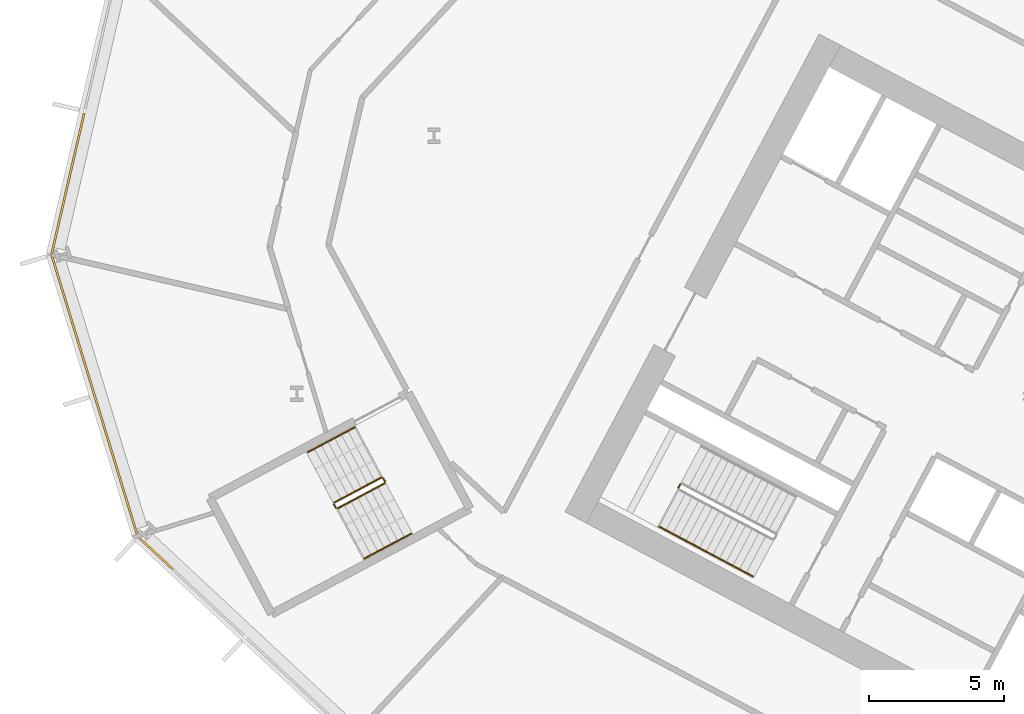
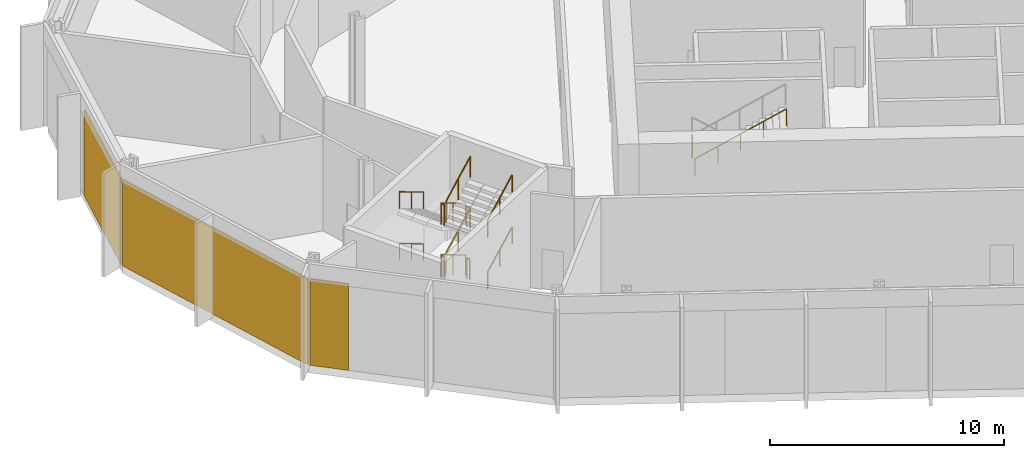
# One storey, part 22 of 32: 14 railings, 3 coverings, 3 elements without a shape of their own.
"""IFC4 building model written with IfcOpenShell, lengths in metres."""

from ifc_helpers import new_model, si_unit, direction, frame, origin, origin_2d, place, context, subcontext, project, spatial, polyline, rectangle, outline, extrude, material, layer, layer_set, type_object, element, aggregate, save


model = new_model("IFC4")

# Units and contexts
model_context = context("Model", 3, precision=1e-05, world=origin(), true_north=direction((0.0, 1.0)))
body_context = subcontext(model_context, "Body", "Model", "MODEL_VIEW")
ifc_project = project(units=[si_unit("LENGTHUNIT", "METRE"), si_unit("AREAUNIT", "SQUARE_METRE"), si_unit("VOLUMEUNIT", "CUBIC_METRE"), si_unit("PLANEANGLEUNIT", "RADIAN"), si_unit("MASSUNIT", "GRAM", prefix="KILO")], contexts=[model_context])

# Site, building, storey
site_placement = place(None, origin())
site = spatial("IfcSite", under=ifc_project, at=site_placement, CompositionType="ELEMENT")
building_placement = place(site_placement, origin())
building = spatial("IfcBuilding", under=site, at=building_placement, Name="Cormorant Relay Tower", CompositionType="ELEMENT")
storey_placement = place(building_placement, frame((0.0, 0.0, 17.60009765625)))
storey = spatial("IfcBuildingStorey", under=building, at=storey_placement, Name="L03", CompositionType="ELEMENT", Elevation=17.60009765625)

# Curtain wall, covering
ifc_material_1 = material(Name="Aluminium 6063-T6 anodised bronze", Category="aluminium")
ifc_layer_1 = layer(ifc_material_1, 0.235107421875)
ifc_layer_set_1 = layer_set([ifc_layer_1], Name="CW6 data hall curtain wall with mineral wool panels")
curtain_wall_type = type_object("IfcCurtainWallType", Name="CW6 data hall curtain wall with mineral wool panels", PredefinedType="NOTDEFINED", material=ifc_layer_set_1)
curtain_wall_1_placement = place(storey_placement, origin())
curtain_wall_1 = element("IfcCurtainWall", 1, at=curtain_wall_1_placement, inside=storey, type_object=curtain_wall_type, Name="CW6 curtain wall 11", PredefinedType="NOTDEFINED")
ifc_material_2 = material(Name="Mineral wool cored anodised bronze aluminium cassette panel", Category="aluminium")
ifc_layer_2 = layer(ifc_material_2, 0.074951171875)
ifc_layer_set_2 = layer_set([ifc_layer_2], Name="CW6 mineral wool cassette panel 75")
covering_type = type_object("IfcCoveringType", Name="CW6 mineral wool cassette panel 75", PredefinedType="CLADDING", material=ifc_layer_set_2)
covering_1_placement = place(storey_placement, frame((-60.153564453125, 23.01318359375, 0.0), z_axis=(0.0, 0.0, 1.0), x_axis=(-0.224951054344, -0.974370064785, 0.0)))
covering_1 = element("IfcCovering", 2, at=covering_1_placement, type_object=covering_type, Name="CW6 panel S02", PredefinedType="CLADDING", context=body_context, shape_type="SweptSolid", body=[
    extrude(rectangle(XDim=5.360107421875, YDim=0.074951171875, at=origin_2d()), origin(), (0.0, 0.0, 1.0), 4.5),
])
aggregate(curtain_wall_1, [covering_1])

curtain_wall_2_placement = place(storey_placement, origin())
curtain_wall_2 = element("IfcCurtainWall", 3, at=curtain_wall_2_placement, inside=storey, type_object=curtain_wall_type, Name="CW6 curtain wall 12", PredefinedType="NOTDEFINED")
covering_2_placement = place(storey_placement, frame((-59.155517578125, 15.148681640625, 0.0), z_axis=(0.0, 0.0, 1.0), x_axis=(0.292371704723, -0.956304755963, 0.0)))
covering_2 = element("IfcCovering", 4, at=covering_2_placement, type_object=covering_type, Name="CW6 panel S00", PredefinedType="CLADDING", context=body_context, shape_type="SweptSolid", body=[
    extrude(rectangle(XDim=10.79541015625, YDim=0.074951171875, at=origin_2d()), origin(), (0.0, 0.0, 1.0), 4.5),
])
aggregate(curtain_wall_2, [covering_2])

curtain_wall_3_placement = place(storey_placement, origin())
curtain_wall_3 = element("IfcCurtainWall", 5, at=curtain_wall_3_placement, inside=storey, type_object=curtain_wall_type, Name="CW6 curtain wall 13", PredefinedType="NOTDEFINED")
covering_3_placement = place(storey_placement, frame((-56.89599609375, 9.3447265625, 0.0), z_axis=(0.0, 0.0, 1.0), x_axis=(0.731353701619, -0.681998360062, 0.0)))
covering_3 = element("IfcCovering", 6, at=covering_3_placement, type_object=covering_type, Name="CW6 panel S00", PredefinedType="CLADDING", context=body_context, shape_type="SweptSolid", body=[
    extrude(rectangle(XDim=1.685302734375, YDim=0.074951171875, at=origin_2d()), origin(), (0.0, 0.0, 1.0), 4.5),
])
aggregate(curtain_wall_3, [covering_3])

# Railings
ifc_material_3 = material(Name="Steel ASTM A572 Grade 50 (Fy 345 MPa)", Category="steel")
railing_type_1 = type_object("IfcRailingType", Name="Stair guard 1100", PredefinedType="GUARDRAIL", material=ifc_material_3)
railing_1_placement = place(storey_placement, frame((-37.52099609375, 11.908935546875, 2.699951171875)))
element("IfcRailing", 7, at=railing_1_placement, inside=storey, type_object=railing_type_1, Name="L03 A2 stair guard 2", PredefinedType="GUARDRAIL", context=body_context, shape_type="SweptSolid", body=[
    extrude(outline(polyline([(0.022216796875, 0.00927734375), (0.00927734375, 0.022216796875), (-0.00927734375, 0.022216796875), (-0.022216796875, 0.00927734375), (-0.022216796875, -0.00927734375), (-0.00927734375, -0.022216796875), (0.00927734375, -0.022216796875), (0.022216796875, -0.00927734375), (0.022216796875, 0.00927734375)])), frame((0.0, 0.0, 1.076171875), z_axis=(-0.469234640946, -0.883073525669, 0.0), x_axis=(0.883073525669, -0.469234640946, 0.0)), (0.0, 0.0, 1.0), 0.14990234375),
    extrude(outline(polyline([(0.019287109375, 0.008056640625), (0.008056640625, 0.019287109375), (-0.008056640625, 0.019287109375), (-0.019287109375, 0.008056640625), (-0.019287109375, -0.008056640625), (-0.008056640625, -0.019287109375), (0.008056640625, -0.019287109375), (0.019287109375, -0.008056640625), (0.019287109375, 0.008056640625)])), origin(), (0.0, 0.0, 1.0), 1.052001953125),
    extrude(outline(polyline([(0.019287109375, 0.008056640625), (0.008056640625, 0.019287109375), (-0.008056640625, 0.019287109375), (-0.019287109375, 0.008056640625), (-0.019287109375, -0.008056640625), (-0.008056640625, -0.019287109375), (0.008056640625, -0.019287109375), (0.019287109375, -0.008056640625), (0.019287109375, 0.008056640625)])), frame((-0.0703125, -0.13232421875, 0.0)), (0.0, 0.0, 1.0), 1.052001953125),
])
railing_2_placement = place(storey_placement, frame((-48.5693359375, 12.155517578125, 0.168701171875)))
element("IfcRailing", 8, at=railing_2_placement, inside=storey, type_object=railing_type_1, Name="L03 RP1 stair guard 1", PredefinedType="GUARDRAIL", context=body_context, shape_type="SweptSolid", body=[
    extrude(outline(polyline([(0.022216796875, 0.00927734375), (0.00927734375, 0.022216796875), (-0.00927734375, 0.022216796875), (-0.022216796875, 0.00927734375), (-0.022216796875, -0.00927734375), (-0.00927734375, -0.022216796875), (0.00927734375, -0.022216796875), (0.022216796875, -0.00927734375), (0.022216796875, 0.00927734375)])), frame((0.0, 0.0, 1.076171875), z_axis=(-0.756267991755, -0.402084082512, 0.516127034012), x_axis=(0.469443581604, -0.882962470149, 0.0)), (0.0, 0.0, 1.0), 2.28857421875),
    extrude(outline(polyline([(0.019287109375, 0.008056640625), (0.008056640625, 0.019287109375), (-0.008056640625, 0.019287109375), (-0.019287109375, 0.008056640625), (-0.019287109375, -0.008056640625), (-0.008056640625, -0.019287109375), (0.008056640625, -0.019287109375), (0.019287109375, -0.008056640625), (0.019287109375, 0.008056640625)])), origin(), (0.0, 0.0, 1.0), 1.052001953125),
    extrude(outline(polyline([(0.019287109375, 0.008056640625), (0.008056640625, 0.019287109375), (-0.008056640625, 0.019287109375), (-0.019287109375, 0.008056640625), (-0.019287109375, -0.008056640625), (-0.008056640625, -0.019287109375), (0.008056640625, -0.019287109375), (0.019287109375, -0.008056640625), (0.019287109375, 0.008056640625)])), frame((-0.865234375, -0.4599609375, 0.590576171875)), (0.0, 0.0, 1.0), 1.052001953125),
    extrude(outline(polyline([(0.019287109375, 0.008056640625), (0.008056640625, 0.019287109375), (-0.008056640625, 0.019287109375), (-0.019287109375, 0.008056640625), (-0.019287109375, -0.008056640625), (-0.008056640625, -0.019287109375), (0.008056640625, -0.019287109375), (0.019287109375, -0.008056640625), (0.019287109375, 0.008056640625)])), frame((-1.730712890625, -0.920166015625, 1.18115234375)), (0.0, 0.0, 1.0), 1.052001953125),
])
railing_3_placement = place(storey_placement, frame((-50.320556640625, 11.167724609375, 1.349853515625)))
element("IfcRailing", 9, at=railing_3_placement, inside=storey, type_object=railing_type_1, Name="L03 RP1 stair guard 2", PredefinedType="GUARDRAIL", context=body_context, shape_type="SweptSolid", body=[
    extrude(outline(polyline([(0.022216796875, 0.00927734375), (0.00927734375, 0.022216796875), (-0.00927734375, 0.022216796875), (-0.022216796875, 0.00927734375), (-0.022216796875, -0.00927734375), (-0.00927734375, -0.022216796875), (0.00927734375, -0.022216796875), (0.022216796875, -0.00927734375), (0.022216796875, 0.00927734375)])), frame((0.0, 0.0, 1.076171875), z_axis=(0.46856034887, -0.8834314911, 0.0), x_axis=(0.8834314911, 0.46856034887, 0.0)), (0.0, 0.0, 1.0), 0.150146484375),
    extrude(outline(polyline([(0.019287109375, 0.008056640625), (0.008056640625, 0.019287109375), (-0.008056640625, 0.019287109375), (-0.019287109375, 0.008056640625), (-0.019287109375, -0.008056640625), (-0.008056640625, -0.019287109375), (0.008056640625, -0.019287109375), (0.019287109375, -0.008056640625), (0.019287109375, 0.008056640625)])), origin(), (0.0, 0.0, 1.0), 1.052001953125),
    extrude(outline(polyline([(0.019287109375, 0.008056640625), (0.008056640625, 0.019287109375), (-0.008056640625, 0.019287109375), (-0.019287109375, 0.008056640625), (-0.019287109375, -0.008056640625), (-0.008056640625, -0.019287109375), (0.008056640625, -0.019287109375), (0.019287109375, -0.008056640625), (0.019287109375, 0.008056640625)])), frame((0.0703125, -0.132568359375, 0.0)), (0.0, 0.0, 1.0), 1.052001953125),
])
railing_4_placement = place(storey_placement, frame((-50.1826171875, 11.014404296875, 1.5185546875)))
element("IfcRailing", 10, at=railing_4_placement, inside=storey, type_object=railing_type_1, Name="L03 RP1 stair guard 3", PredefinedType="GUARDRAIL", context=body_context, shape_type="SweptSolid", body=[
    extrude(outline(polyline([(0.022216796875, 0.00927734375), (0.00927734375, 0.022216796875), (-0.00927734375, 0.022216796875), (-0.022216796875, 0.00927734375), (-0.022216796875, -0.00927734375), (-0.00927734375, -0.022216796875), (0.00927734375, -0.022216796875), (0.022216796875, -0.00927734375), (0.022216796875, 0.00927734375)])), frame((0.0, 0.0, 1.076171875), z_axis=(0.756226349707, 0.402061942735, 0.516205290765), x_axis=(-0.469443581604, 0.882962470149, 0.0)), (0.0, 0.0, 1.0), 2.28857421875),
    extrude(outline(polyline([(0.019287109375, 0.008056640625), (0.008056640625, 0.019287109375), (-0.008056640625, 0.019287109375), (-0.019287109375, 0.008056640625), (-0.019287109375, -0.008056640625), (-0.008056640625, -0.019287109375), (0.008056640625, -0.019287109375), (0.019287109375, -0.008056640625), (0.019287109375, 0.008056640625)])), origin(), (0.0, 0.0, 1.0), 1.052001953125),
    extrude(outline(polyline([(0.019287109375, 0.008056640625), (0.008056640625, 0.019287109375), (-0.008056640625, 0.019287109375), (-0.019287109375, 0.008056640625), (-0.019287109375, -0.008056640625), (-0.008056640625, -0.019287109375), (0.008056640625, -0.019287109375), (0.019287109375, -0.008056640625), (0.019287109375, 0.008056640625)])), frame((0.865234375, 0.4599609375, 0.5908203125)), (0.0, 0.0, 1.0), 1.052001953125),
    extrude(outline(polyline([(0.019287109375, 0.008056640625), (0.008056640625, 0.019287109375), (-0.008056640625, 0.019287109375), (-0.019287109375, 0.008056640625), (-0.019287109375, -0.008056640625), (-0.008056640625, -0.019287109375), (0.008056640625, -0.019287109375), (0.019287109375, -0.008056640625), (0.019287109375, 0.008056640625)])), frame((1.730712890625, 0.920166015625, 1.181396484375)), (0.0, 0.0, 1.0), 1.052001953125),
])
railing_5_placement = place(storey_placement, frame((-48.501708984375, 12.134765625, 2.699951171875)))
element("IfcRailing", 11, at=railing_5_placement, inside=storey, type_object=railing_type_1, Name="L03 RP1 stair guard 4", PredefinedType="GUARDRAIL", context=body_context, shape_type="SweptSolid", body=[
    extrude(outline(polyline([(0.022216796875, 0.00927734375), (0.00927734375, 0.022216796875), (-0.00927734375, 0.022216796875), (-0.022216796875, 0.00927734375), (-0.022216796875, -0.00927734375), (-0.00927734375, -0.022216796875), (0.00927734375, -0.022216796875), (0.022216796875, -0.00927734375), (0.022216796875, 0.00927734375)])), frame((0.0, 0.0, 1.076171875), z_axis=(0.46856034887, -0.8834314911, 0.0), x_axis=(0.8834314911, 0.46856034887, 0.0)), (0.0, 0.0, 1.0), 0.150146484375),
    extrude(outline(polyline([(0.019287109375, 0.008056640625), (0.008056640625, 0.019287109375), (-0.008056640625, 0.019287109375), (-0.019287109375, 0.008056640625), (-0.019287109375, -0.008056640625), (-0.008056640625, -0.019287109375), (0.008056640625, -0.019287109375), (0.019287109375, -0.008056640625), (0.019287109375, 0.008056640625)])), origin(), (0.0, 0.0, 1.0), 1.052001953125),
    extrude(outline(polyline([(0.019287109375, 0.008056640625), (0.008056640625, 0.019287109375), (-0.008056640625, 0.019287109375), (-0.019287109375, 0.008056640625), (-0.019287109375, -0.008056640625), (-0.008056640625, -0.019287109375), (0.008056640625, -0.019287109375), (0.019287109375, -0.008056640625), (0.019287109375, 0.008056640625)])), frame((0.0703125, -0.132568359375, 0.0)), (0.0, 0.0, 1.0), 1.052001953125),
])
railing_6_placement = place(storey_placement, frame((-48.5693359375, 12.155517578125, 2.86865234375)))
element("IfcRailing", 12, at=railing_6_placement, inside=storey, type_object=railing_type_1, Name="L03 RP1 stair guard 5", PredefinedType="GUARDRAIL", context=body_context, shape_type="SweptSolid", body=[
    extrude(outline(polyline([(0.022216796875, 0.00927734375), (0.00927734375, 0.022216796875), (-0.00927734375, 0.022216796875), (-0.022216796875, 0.00927734375), (-0.022216796875, -0.00927734375), (-0.00927734375, -0.022216796875), (0.00927734375, -0.022216796875), (0.022216796875, -0.00927734375), (0.022216796875, 0.00927734375)])), frame((0.0, 0.0, 1.076171875), z_axis=(-0.756267991755, -0.402084082512, 0.516127034012), x_axis=(0.469443581604, -0.882962470149, 0.0)), (0.0, 0.0, 1.0), 2.28857421875),
    extrude(outline(polyline([(0.019287109375, 0.008056640625), (0.008056640625, 0.019287109375), (-0.008056640625, 0.019287109375), (-0.019287109375, 0.008056640625), (-0.019287109375, -0.008056640625), (-0.008056640625, -0.019287109375), (0.008056640625, -0.019287109375), (0.019287109375, -0.008056640625), (0.019287109375, 0.008056640625)])), origin(), (0.0, 0.0, 1.0), 1.052001953125),
    extrude(outline(polyline([(0.019287109375, 0.008056640625), (0.008056640625, 0.019287109375), (-0.008056640625, 0.019287109375), (-0.019287109375, 0.008056640625), (-0.019287109375, -0.008056640625), (-0.008056640625, -0.019287109375), (0.008056640625, -0.019287109375), (0.019287109375, -0.008056640625), (0.019287109375, 0.008056640625)])), frame((-0.865234375, -0.4599609375, 0.590576171875)), (0.0, 0.0, 1.0), 1.052001953125),
    extrude(outline(polyline([(0.019287109375, 0.008056640625), (0.008056640625, 0.019287109375), (-0.008056640625, 0.019287109375), (-0.019287109375, 0.008056640625), (-0.019287109375, -0.008056640625), (-0.008056640625, -0.019287109375), (0.008056640625, -0.019287109375), (0.019287109375, -0.008056640625), (0.019287109375, 0.008056640625)])), frame((-1.730712890625, -0.920166015625, 1.18115234375)), (0.0, 0.0, 1.0), 1.052001953125),
])
railing_7_placement = place(storey_placement, frame((-50.320556640625, 11.167724609375, 4.0498046875)))
element("IfcRailing", 13, at=railing_7_placement, inside=storey, type_object=railing_type_1, Name="L03 RP1 stair guard 6", PredefinedType="GUARDRAIL", context=body_context, shape_type="SweptSolid", body=[
    extrude(outline(polyline([(0.022216796875, 0.00927734375), (0.00927734375, 0.022216796875), (-0.00927734375, 0.022216796875), (-0.022216796875, 0.00927734375), (-0.022216796875, -0.00927734375), (-0.00927734375, -0.022216796875), (0.00927734375, -0.022216796875), (0.022216796875, -0.00927734375), (0.022216796875, 0.00927734375)])), frame((0.0, 0.0, 1.076171875), z_axis=(0.46856034887, -0.8834314911, 0.0), x_axis=(0.8834314911, 0.46856034887, 0.0)), (0.0, 0.0, 1.0), 0.150146484375),
    extrude(outline(polyline([(0.019287109375, 0.008056640625), (0.008056640625, 0.019287109375), (-0.008056640625, 0.019287109375), (-0.019287109375, 0.008056640625), (-0.019287109375, -0.008056640625), (-0.008056640625, -0.019287109375), (0.008056640625, -0.019287109375), (0.019287109375, -0.008056640625), (0.019287109375, 0.008056640625)])), origin(), (0.0, 0.0, 1.0), 1.052001953125),
    extrude(outline(polyline([(0.019287109375, 0.008056640625), (0.008056640625, 0.019287109375), (-0.008056640625, 0.019287109375), (-0.019287109375, 0.008056640625), (-0.019287109375, -0.008056640625), (-0.008056640625, -0.019287109375), (0.008056640625, -0.019287109375), (0.019287109375, -0.008056640625), (0.019287109375, 0.008056640625)])), frame((0.0703125, -0.132568359375, 0.0)), (0.0, 0.0, 1.0), 1.052001953125),
])
railing_8_placement = place(storey_placement, frame((-50.1826171875, 11.014404296875, 4.21875)))
element("IfcRailing", 14, at=railing_8_placement, inside=storey, type_object=railing_type_1, Name="L03 RP1 stair guard 7", PredefinedType="GUARDRAIL", context=body_context, shape_type="SweptSolid", body=[
    extrude(outline(polyline([(0.022216796875, 0.00927734375), (0.00927734375, 0.022216796875), (-0.00927734375, 0.022216796875), (-0.022216796875, 0.00927734375), (-0.022216796875, -0.00927734375), (-0.00927734375, -0.022216796875), (0.00927734375, -0.022216796875), (0.022216796875, -0.00927734375), (0.022216796875, 0.00927734375)])), frame((0.0, 0.0, 1.076171875), z_axis=(0.756267991755, 0.402084082512, 0.516127034012), x_axis=(-0.469443581604, 0.882962470149, 0.0)), (0.0, 0.0, 1.0), 2.28857421875),
    extrude(outline(polyline([(0.019287109375, 0.008056640625), (0.008056640625, 0.019287109375), (-0.008056640625, 0.019287109375), (-0.019287109375, 0.008056640625), (-0.019287109375, -0.008056640625), (-0.008056640625, -0.019287109375), (0.008056640625, -0.019287109375), (0.019287109375, -0.008056640625), (0.019287109375, 0.008056640625)])), origin(), (0.0, 0.0, 1.0), 1.052001953125),
    extrude(outline(polyline([(0.019287109375, 0.008056640625), (0.008056640625, 0.019287109375), (-0.008056640625, 0.019287109375), (-0.019287109375, 0.008056640625), (-0.019287109375, -0.008056640625), (-0.008056640625, -0.019287109375), (0.008056640625, -0.019287109375), (0.019287109375, -0.008056640625), (0.019287109375, 0.008056640625)])), frame((0.865234375, 0.4599609375, 0.590576171875)), (0.0, 0.0, 1.0), 1.052001953125),
    extrude(outline(polyline([(0.019287109375, 0.008056640625), (0.008056640625, 0.019287109375), (-0.008056640625, 0.019287109375), (-0.019287109375, 0.008056640625), (-0.019287109375, -0.008056640625), (-0.008056640625, -0.019287109375), (0.008056640625, -0.019287109375), (0.019287109375, -0.008056640625), (0.019287109375, 0.008056640625)])), frame((1.730712890625, 0.920166015625, 1.18115234375)), (0.0, 0.0, 1.0), 1.052001953125),
])
railing_9_placement = place(storey_placement, frame((-48.501708984375, 12.134765625, 0.0)))
element("IfcRailing", 15, at=railing_9_placement, inside=storey, type_object=railing_type_1, Name="L03 RP1 stair guard 8", PredefinedType="GUARDRAIL", context=body_context, shape_type="SweptSolid", body=[
    extrude(outline(polyline([(0.022216796875, 0.00927734375), (0.00927734375, 0.022216796875), (-0.00927734375, 0.022216796875), (-0.022216796875, 0.00927734375), (-0.022216796875, -0.00927734375), (-0.00927734375, -0.022216796875), (0.00927734375, -0.022216796875), (0.022216796875, -0.00927734375), (0.022216796875, 0.00927734375)])), frame((0.0, 0.0, 1.076171875), z_axis=(0.46856034887, -0.8834314911, 0.0), x_axis=(0.8834314911, 0.46856034887, 0.0)), (0.0, 0.0, 1.0), 0.150146484375),
    extrude(outline(polyline([(0.019287109375, 0.008056640625), (0.008056640625, 0.019287109375), (-0.008056640625, 0.019287109375), (-0.019287109375, 0.008056640625), (-0.019287109375, -0.008056640625), (-0.008056640625, -0.019287109375), (0.008056640625, -0.019287109375), (0.019287109375, -0.008056640625), (0.019287109375, 0.008056640625)])), origin(), (0.0, 0.0, 1.0), 1.052001953125),
    extrude(outline(polyline([(0.019287109375, 0.008056640625), (0.008056640625, 0.019287109375), (-0.008056640625, 0.019287109375), (-0.019287109375, 0.008056640625), (-0.019287109375, -0.008056640625), (-0.008056640625, -0.019287109375), (0.008056640625, -0.019287109375), (0.019287109375, -0.008056640625), (0.019287109375, 0.008056640625)])), frame((0.0703125, -0.132568359375, 0.0)), (0.0, 0.0, 1.0), 1.052001953125),
])
ifc_material_4 = material(Name="Steel ASTM A572 Grade 50 (Fy 345 MPa)", Category="steel")
railing_type_2 = type_object("IfcRailingType", Name="Stair handrail 900", PredefinedType="HANDRAIL", material=ifc_material_4)
railing_10_placement = place(storey_placement, frame((-38.29833984375, 10.34033203125, 2.8798828125)))
element("IfcRailing", 16, at=railing_10_placement, inside=storey, type_object=railing_type_2, Name="L03 A2 stair handrail 2", PredefinedType="HANDRAIL", context=body_context, shape_type="SweptSolid", body=[
    extrude(outline(polyline([(0.022216796875, 0.00927734375), (0.00927734375, 0.022216796875), (-0.00927734375, 0.022216796875), (-0.022216796875, 0.00927734375), (-0.022216796875, -0.00927734375), (-0.00927734375, -0.022216796875), (0.00927734375, -0.022216796875), (0.022216796875, -0.00927734375), (0.022216796875, 0.00927734375)])), frame((0.0, 0.0, 0.8759765625), z_axis=(0.74271721126, -0.394907409077, 0.540758062681), x_axis=(0.469469396681, 0.882948744594, 0.0)), (0.0, 0.0, 1.0), 4.66015625),
    extrude(outline(polyline([(0.019287109375, 0.008056640625), (0.008056640625, 0.019287109375), (-0.008056640625, 0.019287109375), (-0.019287109375, 0.008056640625), (-0.019287109375, -0.008056640625), (-0.008056640625, -0.019287109375), (0.008056640625, -0.019287109375), (0.019287109375, -0.008056640625), (0.019287109375, 0.008056640625)])), origin(), (0.0, 0.0, 1.0), 0.851806640625),
    extrude(outline(polyline([(0.019287109375, 0.008056640625), (0.008056640625, 0.019287109375), (-0.008056640625, 0.019287109375), (-0.019287109375, 0.008056640625), (-0.019287109375, -0.008056640625), (-0.008056640625, -0.019287109375), (0.008056640625, -0.019287109375), (0.019287109375, -0.008056640625), (0.019287109375, 0.008056640625)])), frame((0.865234375, -0.4599609375, 0.6298828125)), (0.0, 0.0, 1.0), 0.851806640625),
    extrude(outline(polyline([(0.019287109375, 0.008056640625), (0.008056640625, 0.019287109375), (-0.008056640625, 0.019287109375), (-0.019287109375, 0.008056640625), (-0.019287109375, -0.008056640625), (-0.008056640625, -0.019287109375), (0.008056640625, -0.019287109375), (0.019287109375, -0.008056640625), (0.019287109375, 0.008056640625)])), frame((1.73046875, -0.920166015625, 1.260009765625)), (0.0, 0.0, 1.0), 0.851806640625),
    extrude(outline(polyline([(0.019287109375, 0.008056640625), (0.008056640625, 0.019287109375), (-0.008056640625, 0.019287109375), (-0.019287109375, 0.008056640625), (-0.019287109375, -0.008056640625), (-0.008056640625, -0.019287109375), (0.008056640625, -0.019287109375), (0.019287109375, -0.008056640625), (0.019287109375, 0.008056640625)])), frame((2.595947265625, -1.38037109375, 1.89013671875)), (0.0, 0.0, 1.0), 0.851806640625),
    extrude(outline(polyline([(0.019287109375, 0.008056640625), (0.008056640625, 0.019287109375), (-0.008056640625, 0.019287109375), (-0.019287109375, 0.008056640625), (-0.019287109375, -0.008056640625), (-0.008056640625, -0.019287109375), (0.008056640625, -0.019287109375), (0.019287109375, -0.008056640625), (0.019287109375, 0.008056640625)])), frame((3.461181640625, -1.84033203125, 2.52001953125)), (0.0, 0.0, 1.0), 0.851806640625),
])
railing_11_placement = place(storey_placement, frame((-49.55517578125, 14.009521484375, 0.168701171875)))
element("IfcRailing", 17, at=railing_11_placement, inside=storey, type_object=railing_type_2, Name="L03 RP1 stair handrail 1", PredefinedType="HANDRAIL", context=body_context, shape_type="SweptSolid", body=[
    extrude(outline(polyline([(0.022216796875, 0.00927734375), (0.00927734375, 0.022216796875), (-0.00927734375, 0.022216796875), (-0.022216796875, 0.00927734375), (-0.022216796875, -0.00927734375), (-0.00927734375, -0.022216796875), (0.00927734375, -0.022216796875), (0.022216796875, -0.00927734375), (0.022216796875, 0.00927734375)])), frame((0.0, 0.0, 0.8759765625), z_axis=(-0.756267991755, -0.402084082512, 0.516127034012), x_axis=(0.469443581604, -0.882962470149, 0.0)), (0.0, 0.0, 1.0), 2.28857421875),
    extrude(outline(polyline([(0.019287109375, 0.008056640625), (0.008056640625, 0.019287109375), (-0.008056640625, 0.019287109375), (-0.019287109375, 0.008056640625), (-0.019287109375, -0.008056640625), (-0.008056640625, -0.019287109375), (0.008056640625, -0.019287109375), (0.019287109375, -0.008056640625), (0.019287109375, 0.008056640625)])), origin(), (0.0, 0.0, 1.0), 0.851806640625),
    extrude(outline(polyline([(0.019287109375, 0.008056640625), (0.008056640625, 0.019287109375), (-0.008056640625, 0.019287109375), (-0.019287109375, 0.008056640625), (-0.019287109375, -0.008056640625), (-0.008056640625, -0.019287109375), (0.008056640625, -0.019287109375), (0.019287109375, -0.008056640625), (0.019287109375, 0.008056640625)])), frame((-0.865234375, -0.4599609375, 0.590576171875)), (0.0, 0.0, 1.0), 0.851806640625),
    extrude(outline(polyline([(0.019287109375, 0.008056640625), (0.008056640625, 0.019287109375), (-0.008056640625, 0.019287109375), (-0.019287109375, 0.008056640625), (-0.019287109375, -0.008056640625), (-0.008056640625, -0.019287109375), (0.008056640625, -0.019287109375), (0.019287109375, -0.008056640625), (0.019287109375, 0.008056640625)])), frame((-1.730712890625, -0.920166015625, 1.18115234375)), (0.0, 0.0, 1.0), 0.851806640625),
])
railing_12_placement = place(storey_placement, frame((-49.19677734375, 9.160400390625, 1.5185546875)))
element("IfcRailing", 18, at=railing_12_placement, inside=storey, type_object=railing_type_2, Name="L03 RP1 stair handrail 2", PredefinedType="HANDRAIL", context=body_context, shape_type="SweptSolid", body=[
    extrude(outline(polyline([(0.022216796875, 0.00927734375), (0.00927734375, 0.022216796875), (-0.00927734375, 0.022216796875), (-0.022216796875, 0.00927734375), (-0.022216796875, -0.00927734375), (-0.00927734375, -0.022216796875), (0.00927734375, -0.022216796875), (0.022216796875, -0.00927734375), (0.022216796875, 0.00927734375)])), frame((0.0, 0.0, 0.8759765625), z_axis=(0.756226349707, 0.402061942735, 0.516205290765), x_axis=(-0.469443581604, 0.882962470149, 0.0)), (0.0, 0.0, 1.0), 2.28857421875),
    extrude(outline(polyline([(0.019287109375, 0.008056640625), (0.008056640625, 0.019287109375), (-0.008056640625, 0.019287109375), (-0.019287109375, 0.008056640625), (-0.019287109375, -0.008056640625), (-0.008056640625, -0.019287109375), (0.008056640625, -0.019287109375), (0.019287109375, -0.008056640625), (0.019287109375, 0.008056640625)])), origin(), (0.0, 0.0, 1.0), 0.851806640625),
    extrude(outline(polyline([(0.019287109375, 0.008056640625), (0.008056640625, 0.019287109375), (-0.008056640625, 0.019287109375), (-0.019287109375, 0.008056640625), (-0.019287109375, -0.008056640625), (-0.008056640625, -0.019287109375), (0.008056640625, -0.019287109375), (0.019287109375, -0.008056640625), (0.019287109375, 0.008056640625)])), frame((0.865234375, 0.4599609375, 0.5908203125)), (0.0, 0.0, 1.0), 0.851806640625),
    extrude(outline(polyline([(0.019287109375, 0.008056640625), (0.008056640625, 0.019287109375), (-0.008056640625, 0.019287109375), (-0.019287109375, 0.008056640625), (-0.019287109375, -0.008056640625), (-0.008056640625, -0.019287109375), (0.008056640625, -0.019287109375), (0.019287109375, -0.008056640625), (0.019287109375, 0.008056640625)])), frame((1.730712890625, 0.920166015625, 1.181396484375)), (0.0, 0.0, 1.0), 0.851806640625),
])
railing_13_placement = place(storey_placement, frame((-49.55517578125, 14.009521484375, 2.86865234375)))
element("IfcRailing", 19, at=railing_13_placement, inside=storey, type_object=railing_type_2, Name="L03 RP1 stair handrail 3", PredefinedType="HANDRAIL", context=body_context, shape_type="SweptSolid", body=[
    extrude(outline(polyline([(0.022216796875, 0.00927734375), (0.00927734375, 0.022216796875), (-0.00927734375, 0.022216796875), (-0.022216796875, 0.00927734375), (-0.022216796875, -0.00927734375), (-0.00927734375, -0.022216796875), (0.00927734375, -0.022216796875), (0.022216796875, -0.00927734375), (0.022216796875, 0.00927734375)])), frame((0.0, 0.0, 0.8759765625), z_axis=(-0.756267991755, -0.402084082512, 0.516127034012), x_axis=(0.469443581604, -0.882962470149, 0.0)), (0.0, 0.0, 1.0), 2.28857421875),
    extrude(outline(polyline([(0.019287109375, 0.008056640625), (0.008056640625, 0.019287109375), (-0.008056640625, 0.019287109375), (-0.019287109375, 0.008056640625), (-0.019287109375, -0.008056640625), (-0.008056640625, -0.019287109375), (0.008056640625, -0.019287109375), (0.019287109375, -0.008056640625), (0.019287109375, 0.008056640625)])), origin(), (0.0, 0.0, 1.0), 0.851806640625),
    extrude(outline(polyline([(0.019287109375, 0.008056640625), (0.008056640625, 0.019287109375), (-0.008056640625, 0.019287109375), (-0.019287109375, 0.008056640625), (-0.019287109375, -0.008056640625), (-0.008056640625, -0.019287109375), (0.008056640625, -0.019287109375), (0.019287109375, -0.008056640625), (0.019287109375, 0.008056640625)])), frame((-0.865234375, -0.4599609375, 0.590576171875)), (0.0, 0.0, 1.0), 0.851806640625),
    extrude(outline(polyline([(0.019287109375, 0.008056640625), (0.008056640625, 0.019287109375), (-0.008056640625, 0.019287109375), (-0.019287109375, 0.008056640625), (-0.019287109375, -0.008056640625), (-0.008056640625, -0.019287109375), (0.008056640625, -0.019287109375), (0.019287109375, -0.008056640625), (0.019287109375, 0.008056640625)])), frame((-1.730712890625, -0.920166015625, 1.18115234375)), (0.0, 0.0, 1.0), 0.851806640625),
])
railing_14_placement = place(storey_placement, frame((-49.19677734375, 9.160400390625, 4.21875)))
element("IfcRailing", 20, at=railing_14_placement, inside=storey, type_object=railing_type_2, Name="L03 RP1 stair handrail 4", PredefinedType="HANDRAIL", context=body_context, shape_type="SweptSolid", body=[
    extrude(outline(polyline([(0.022216796875, 0.00927734375), (0.00927734375, 0.022216796875), (-0.00927734375, 0.022216796875), (-0.022216796875, 0.00927734375), (-0.022216796875, -0.00927734375), (-0.00927734375, -0.022216796875), (0.00927734375, -0.022216796875), (0.022216796875, -0.00927734375), (0.022216796875, 0.00927734375)])), frame((0.0, 0.0, 0.8759765625), z_axis=(0.756267991755, 0.402084082512, 0.516127034012), x_axis=(-0.469443581604, 0.882962470149, 0.0)), (0.0, 0.0, 1.0), 2.28857421875),
    extrude(outline(polyline([(0.019287109375, 0.008056640625), (0.008056640625, 0.019287109375), (-0.008056640625, 0.019287109375), (-0.019287109375, 0.008056640625), (-0.019287109375, -0.008056640625), (-0.008056640625, -0.019287109375), (0.008056640625, -0.019287109375), (0.019287109375, -0.008056640625), (0.019287109375, 0.008056640625)])), origin(), (0.0, 0.0, 1.0), 0.851806640625),
    extrude(outline(polyline([(0.019287109375, 0.008056640625), (0.008056640625, 0.019287109375), (-0.008056640625, 0.019287109375), (-0.019287109375, 0.008056640625), (-0.019287109375, -0.008056640625), (-0.008056640625, -0.019287109375), (0.008056640625, -0.019287109375), (0.019287109375, -0.008056640625), (0.019287109375, 0.008056640625)])), frame((0.865234375, 0.4599609375, 0.590576171875)), (0.0, 0.0, 1.0), 0.851806640625),
    extrude(outline(polyline([(0.019287109375, 0.008056640625), (0.008056640625, 0.019287109375), (-0.008056640625, 0.019287109375), (-0.019287109375, 0.008056640625), (-0.019287109375, -0.008056640625), (-0.008056640625, -0.019287109375), (0.008056640625, -0.019287109375), (0.019287109375, -0.008056640625), (0.019287109375, 0.008056640625)])), frame((1.730712890625, 0.920166015625, 1.18115234375)), (0.0, 0.0, 1.0), 0.851806640625),
])

save(model, "model.ifc")
